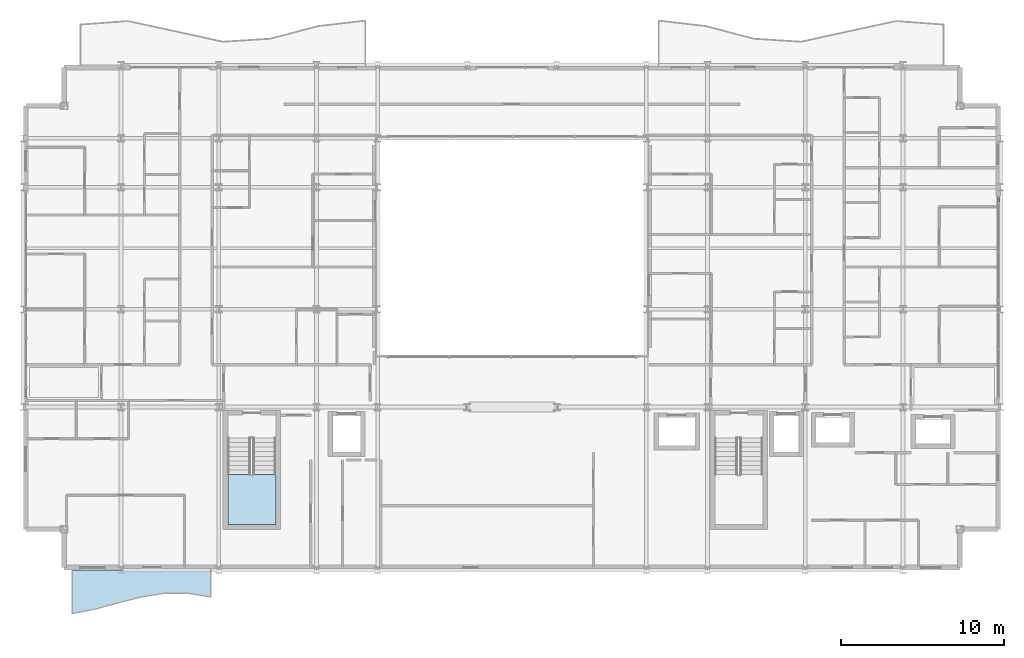
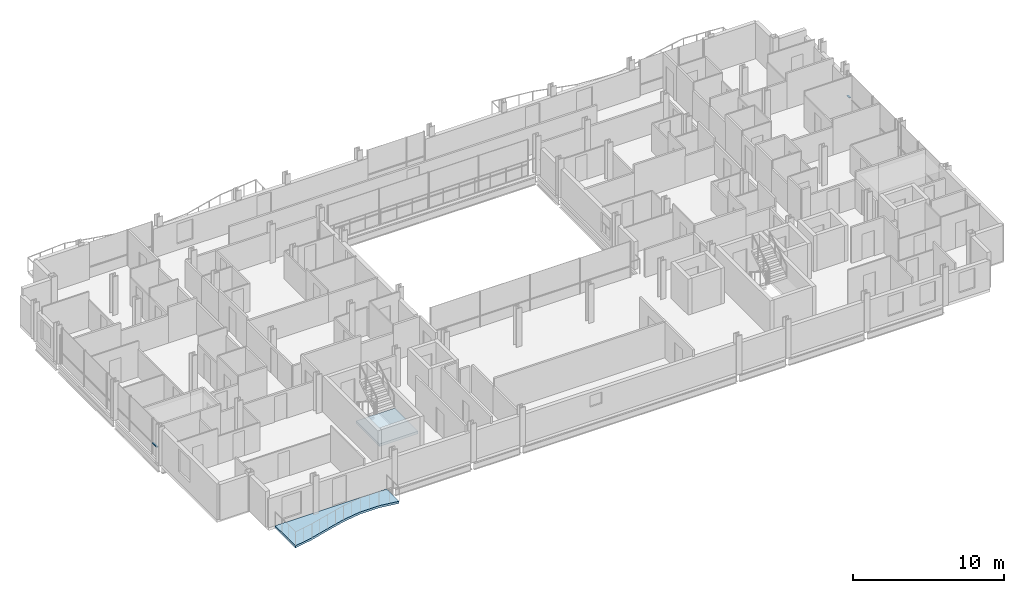
# One storey, part 25 of 40: 2 members, 2 slabs, 3 elements without a shape of their own.
"""IFC4 building model written with IfcOpenShell, lengths in metres."""

from ifc_helpers import new_model, si_unit, direction, frame, origin, origin_2d, place, context, subcontext, project, spatial, polyline, hollow_rectangle, outline, extrude, material, layer, layer_set, material_profile, profile_set, type_object, element, aggregate, save


model = new_model("IFC4")

# Units and contexts
model_context = context("Model", 3, precision=1e-05, world=origin(), true_north=direction((0.0, 1.0)))
body_context = subcontext(model_context, "Body", "Model", "MODEL_VIEW")
ifc_project = project(units=[si_unit("LENGTHUNIT", "METRE"), si_unit("AREAUNIT", "SQUARE_METRE"), si_unit("VOLUMEUNIT", "CUBIC_METRE"), si_unit("PLANEANGLEUNIT", "RADIAN"), si_unit("MASSUNIT", "GRAM", prefix="KILO")], contexts=[model_context])

# Site, building, storey
site_placement = place(None, origin())
site = spatial("IfcSite", under=ifc_project, at=site_placement, CompositionType="ELEMENT")
building_placement = place(site_placement, origin())
building = spatial("IfcBuilding", under=site, at=building_placement, Name="Brevholm Reach", CompositionType="ELEMENT")
storey_placement = place(building_placement, frame((0.0, 0.0, 125.199951171875)))
storey = spatial("IfcBuildingStorey", under=building, at=storey_placement, Name="L37", CompositionType="ELEMENT", Elevation=125.199951171875)

# Curtain wall, member
ifc_material_1 = material(Name="Dark Anodised Aluminium 6063-T6 and Solar-Control Glass", Category="aluminium")
ifc_layer_1 = layer(ifc_material_1, 0.14990234375)
ifc_layer_set_1 = layer_set([ifc_layer_1], Name="Dark Anodised Aluminium 6063-T6 and Solar-Control Glass")
curtain_wall_type = type_object("IfcCurtainWallType", Name="CW-01", PredefinedType="NOTDEFINED", material=ifc_layer_set_1)
curtain_wall_1_placement = place(storey_placement, origin())
curtain_wall_1 = element("IfcCurtainWall", 1, at=curtain_wall_1_placement, inside=storey, type_object=curtain_wall_type, Name="L37 Curtain Wall CW-01", PredefinedType="NOTDEFINED")
ifc_material_2 = material(Name="Dark Anodised Aluminium 6063-T6", Category="aluminium")
ifc_material_profile = material_profile(ifc_material_2, hollow_rectangle(XDim=0.06494140625, YDim=0.14990234375, WallThickness=0.0048828125, InnerFilletRadius=0.0048828125, OuterFilletRadius=0.010009765625, at=origin_2d()), Name="RHS 150x65x5")
ifc_profile_set = profile_set([ifc_material_profile], Name="Dark Anodised Aluminium 6063-T6")
member_type = type_object("IfcMemberType", Name="CWT-150", PredefinedType="NOTDEFINED", material=ifc_profile_set)
member_1_placement = place(storey_placement, frame((0.14990234375, 11.1875, 0.900146484375), z_axis=(0.0, -1.0, 0.0), x_axis=(0.0, 0.0, 1.0)))
member_1 = element("IfcMember", 2, at=member_1_placement, type_object=member_type, Name="CT-150 Transom 5.1", ObjectType="TRANSOM", PredefinedType="USERDEFINED", context=body_context, shape_type="SweptSolid", body=[
    extrude(hollow_rectangle(XDim=0.06494140625, YDim=0.14990234375, WallThickness=0.0048828125, InnerFilletRadius=0.0048828125, OuterFilletRadius=0.010009765625, at=origin_2d()), origin(), (0.0, 0.0, 1.0), 0.572509765625),
])
aggregate(curtain_wall_1, [member_1])

curtain_wall_2_placement = place(storey_placement, origin())
curtain_wall_2 = element("IfcCurtainWall", 3, at=curtain_wall_2_placement, inside=storey, type_object=curtain_wall_type, Name="L37 Curtain Wall CW-01", PredefinedType="NOTDEFINED")
member_2_placement = place(storey_placement, frame((59.85009765625, 22.58251953125, 0.900146484375), z_axis=(0.0, 1.0, 0.0), x_axis=(0.0, 0.0, 1.0)))
member_2 = element("IfcMember", 4, at=member_2_placement, type_object=member_type, Name="CT-150 Transom 5.1", ObjectType="TRANSOM", PredefinedType="USERDEFINED", context=body_context, shape_type="SweptSolid", body=[
    extrude(hollow_rectangle(XDim=0.06494140625, YDim=0.14990234375, WallThickness=0.0048828125, InnerFilletRadius=0.0048828125, OuterFilletRadius=0.010009765625, at=origin_2d()), origin(), (0.0, 0.0, 1.0), 0.302490234375),
])
aggregate(curtain_wall_2, [member_2])

# Slab
ifc_material_3 = material(Name="Precast Concrete C40/50", Category="concrete")
ifc_layer_2 = layer(ifc_material_3, 0.179931640625)
ifc_layer_set_2 = layer_set([ifc_layer_2], Name="Precast Concrete C40/50")
slab_type_1 = type_object("IfcSlabType", Name="SLB-BAL-180", PredefinedType="FLOOR", material=ifc_layer_set_2)
slab_1_placement = place(storey_placement, frame((0.0, 0.0, -0.179931640625)))
element("IfcSlab", 5, at=slab_1_placement, inside=storey, type_object=slab_type_1, Name="L37 Rippling External Balcony SW", PredefinedType="FLOOR", context=body_context, shape_type="SweptSolid", body=[
    extrude(outline(polyline([(3.0, -2.676513671875), (4.416748046875, -2.402099609375), (5.833251953125, -2.01611328125), (7.25, -1.650146484375), (8.666748046875, -1.429443359375), (10.083251953125, -1.429443359375), (11.5, -1.650146484375), (11.5, 0.0), (3.0, 0.0), (3.0, -2.676513671875)])), origin(), (0.0, 0.0, 1.0), 0.179931640625),
])

# Stair, slab
ifc_material_4 = material(Name="Precast Concrete C40/50", Category="concrete")
stair_type = type_object("IfcStairType", Name="STR-ESC-1400", PredefinedType="DOUBLE_RETURN_STAIR", material=ifc_material_4)
stair_placement = place(storey_placement, origin())
stair = element("IfcStair", 6, at=stair_placement, inside=storey, type_object=stair_type, Name="L37 ST-1", PredefinedType="DOUBLE_RETURN_STAIR")
ifc_material_5 = material(Name="Concrete C40/50", Category="concrete")
ifc_layer_3 = layer(ifc_material_5, 0.199951171875)
ifc_layer_set_3 = layer_set([ifc_layer_3], Name="Concrete C40/50")
slab_type_2 = type_object("IfcSlabType", Name="SLB-LND-200", PredefinedType="LANDING", material=ifc_layer_set_3)
slab_2_placement = place(storey_placement, frame((0.0, 0.0, 1.35009765625)))
slab_2 = element("IfcSlab", 7, at=slab_2_placement, type_object=slab_type_2, Name="ST-1 landing 1", PredefinedType="LANDING", context=body_context, shape_type="SweptSolid", body=[
    extrude(outline(polyline([(12.550048828125, 5.860107421875), (12.550048828125, 2.780029296875), (15.5, 2.780029296875), (15.5, 5.860107421875), (12.550048828125, 5.860107421875)])), origin(), (0.0, 0.0, 1.0), 0.199951171875),
])
aggregate(stair, [slab_2])

save(model, "model.ifc")
